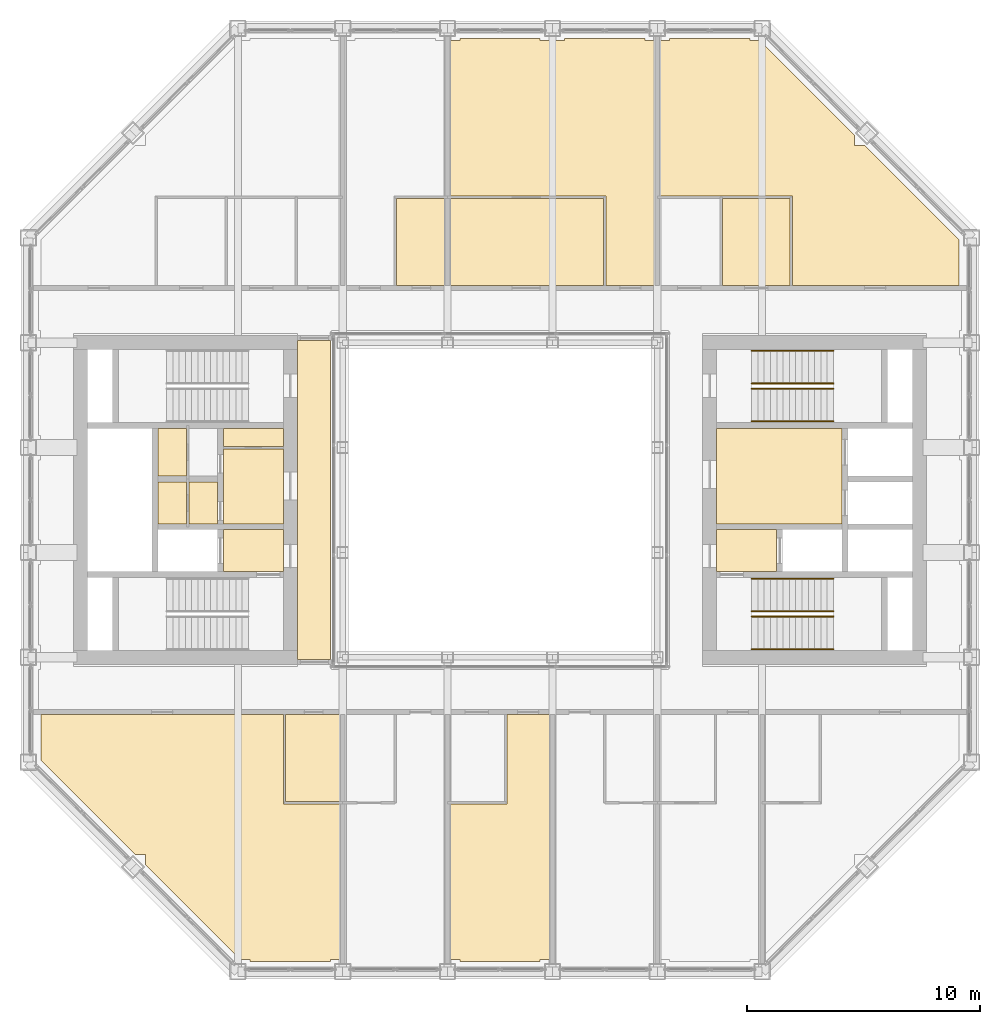
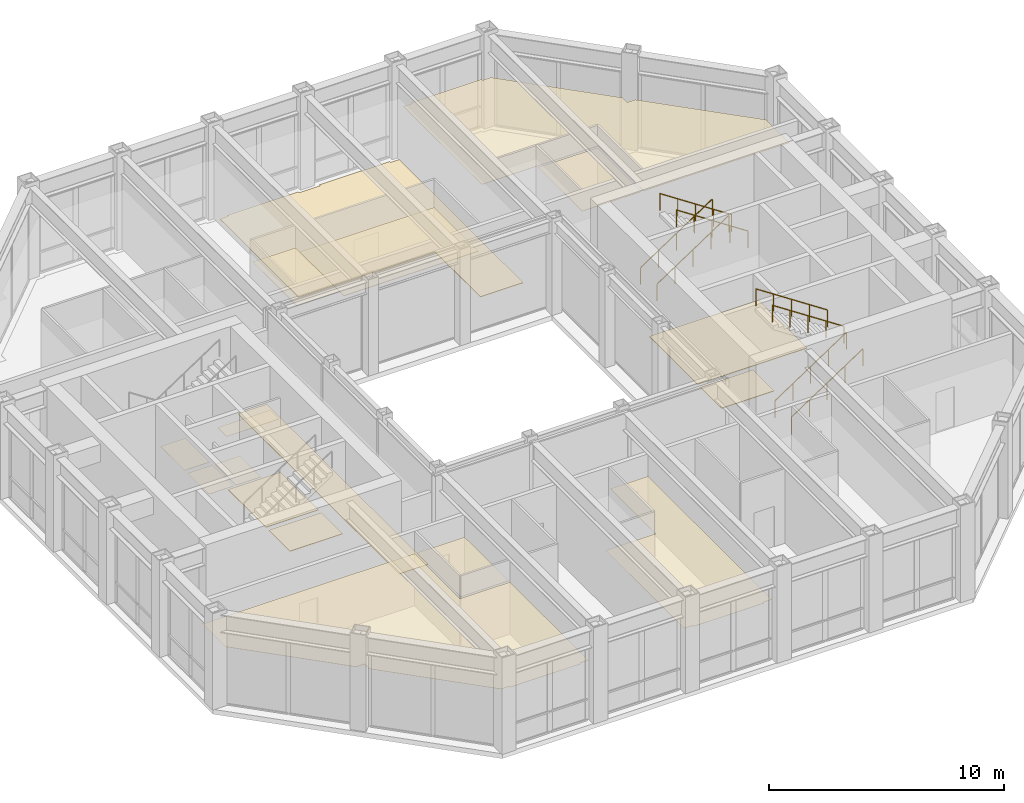
# One storey, part 15 of 15: 8 railings, 3 coverings.
"""IFC4 building model written with IfcOpenShell, lengths in metres."""

from ifc_helpers import new_model, si_unit, direction, frame, origin, origin_2d, place, context, subcontext, project, spatial, line, indexed_curve, circle, outline, extrude, material, layer, layer_set, type_object, element, save


model = new_model("IFC4")

# Units and contexts
model_context = context("Model", 3, precision=1e-05, world=origin(), true_north=direction((0.0, 1.0)))
body_context = subcontext(model_context, "Body", "Model", "MODEL_VIEW")
ifc_project = project(units=[si_unit("LENGTHUNIT", "METRE"), si_unit("AREAUNIT", "SQUARE_METRE"), si_unit("VOLUMEUNIT", "CUBIC_METRE"), si_unit("PLANEANGLEUNIT", "RADIAN"), si_unit("MASSUNIT", "GRAM", prefix="KILO")], contexts=[model_context])

# Site, building, storey
site_placement = place(None, origin())
site = spatial("IfcSite", under=ifc_project, at=site_placement, CompositionType="ELEMENT")
building_placement = place(site_placement, origin())
building = spatial("IfcBuilding", under=site, at=building_placement, Name="Msasa Ring Tower", CompositionType="ELEMENT")
storey_placement = place(building_placement, frame((0.0, 0.0, 195.800048828125)))
storey = spatial("IfcBuildingStorey", under=building, at=storey_placement, Name="L51", CompositionType="ELEMENT", Elevation=195.800048828125)

# Coverings
ifc_material_1 = material(Name="Gypsum plasterboard on a steel suspension grid", Category="steel")
ifc_layer_1 = layer(ifc_material_1, 0.014892578125)
ifc_layer_set_1 = layer_set([ifc_layer_1], Name="C1 SUSPENDED PLASTERBOARD CEILING 15")
covering_type_1 = type_object("IfcCoveringType", Name="C1 SUSPENDED PLASTERBOARD CEILING 15", PredefinedType="CEILING", material=ifc_layer_set_1)
covering_1_placement = place(storey_placement, frame((0.0, 0.0, 2.699951171875)))
element("IfcCovering", 1, at=covering_1_placement, inside=storey, type_object=covering_type_1, Name="Suspended Plasterboard Ceiling 15 L51", PredefinedType="CEILING", context=body_context, shape_type="SweptSolid", body=[
    extrude(outline(indexed_curve([(-10.724609375, -19.799560546875), (-10.724609375, -19.724609375), (-11.138427734375, -19.724609375), (-15.224609375, -15.638427734375), (-15.224609375, -15.224609375), (-15.638427734375, -15.224609375), (-19.699462890625, -11.163330078125), (-19.699462890625, -9.200439453125), (-9.300537109375, -9.200439453125), (-9.300537109375, -13.050537109375), (-6.8505859375, -13.050537109375), (-6.8505859375, -19.724609375), (-7.275390625, -19.724609375), (-7.275390625, -19.799560546875)], segments=[line(1, 2, 3, 4, 5, 6, 7, 8, 9, 10, 11, 12, 13, 14, 1)], self_intersect=False)), origin(), (0.0, 0.0, 1.0), 0.014892578125),
    extrude(outline(indexed_curve([(-14.674560546875, 0.7744140625), (-13.45556640625, 0.7744140625), (-13.45556640625, -1.0244140625), (-14.674560546875, -1.0244140625)], segments=[line(1, 2, 3, 4, 1)], self_intersect=False)), origin(), (0.0, 0.0, 1.0), 0.014892578125),
    extrude(outline(indexed_curve([(-14.674560546875, 3.074462890625), (-13.45556640625, 3.074462890625), (-13.45556640625, 1.025390625), (-14.674560546875, 1.025390625)], segments=[line(1, 2, 3, 4, 1)], self_intersect=False)), origin(), (0.0, 0.0, 1.0), 0.014892578125),
    extrude(outline(indexed_curve([(-13.344482421875, 0.7744140625), (-12.12548828125, 0.7744140625), (-12.12548828125, -1.0244140625), (-13.344482421875, -1.0244140625)], segments=[line(1, 2, 3, 4, 1)], self_intersect=False)), origin(), (0.0, 0.0, 1.0), 0.014892578125),
    extrude(outline(indexed_curve([(-11.87451171875, 2.305419921875), (-11.87451171875, 3.074462890625), (-9.300537109375, 3.074462890625), (-9.300537109375, 2.305419921875)], segments=[line(1, 2, 3, 4, 1)], self_intersect=False)), origin(), (0.0, 0.0, 1.0), 0.014892578125),
    extrude(outline(indexed_curve([(-9.199462890625, -12.949462890625), (-9.199462890625, -9.200439453125), (-6.8505859375, -9.200439453125), (-6.8505859375, -12.949462890625)], segments=[line(1, 2, 3, 4, 1)], self_intersect=False)), origin(), (0.0, 0.0, 1.0), 0.014892578125),
    extrude(outline(indexed_curve([(-4.449462890625, 9.200439453125), (-4.449462890625, 12.949462890625), (-2.3505859375, 12.949462890625), (-2.3505859375, 9.200439453125)], segments=[line(1, 2, 3, 4, 1)], self_intersect=False)), origin(), (0.0, 0.0, 1.0), 0.014892578125),
    extrude(outline(indexed_curve([(0.300537109375, -13.050537109375), (0.300537109375, -9.200439453125), (2.1494140625, -9.200439453125), (2.1494140625, -19.724609375), (1.724609375, -19.724609375), (1.724609375, -19.799560546875), (-1.724609375, -19.799560546875), (-1.724609375, -19.724609375), (-2.1494140625, -19.724609375), (-2.1494140625, -13.050537109375)], segments=[line(1, 2, 3, 4, 5, 6, 7, 8, 9, 10, 1)], self_intersect=False)), origin(), (0.0, 0.0, 1.0), 0.014892578125),
    extrude(outline(indexed_curve([(10.724609375, 19.799560546875), (10.724609375, 19.724609375), (11.138427734375, 19.724609375), (15.224609375, 15.638427734375), (15.224609375, 15.224609375), (15.638427734375, 15.224609375), (19.699462890625, 11.163330078125), (19.699462890625, 9.200439453125), (12.550537109375, 9.200439453125), (12.550537109375, 13.050537109375), (6.8505859375, 13.050537109375), (6.8505859375, 19.724609375), (7.275390625, 19.724609375), (7.275390625, 19.799560546875)], segments=[line(1, 2, 3, 4, 5, 6, 7, 8, 9, 10, 11, 12, 13, 14, 1)], self_intersect=False)), origin(), (0.0, 0.0, 1.0), 0.014892578125),
    extrude(outline(indexed_curve([(9.550537109375, 12.949462890625), (12.449462890625, 12.949462890625), (12.449462890625, 9.200439453125), (9.550537109375, 9.200439453125)], segments=[line(1, 2, 3, 4, 1)], self_intersect=False)), origin(), (0.0, 0.0, 1.0), 0.014892578125),
])
ifc_material_2 = material(Name="Perforated aluminium ceiling pans on a steel grid", Category="steel")
ifc_layer_2 = layer(ifc_material_2, 0.02490234375)
ifc_layer_set_2 = layer_set([ifc_layer_2], Name="C4 PERFORATED METAL PAN CEILING 25")
covering_type_2 = type_object("IfcCoveringType", Name="C4 PERFORATED METAL PAN CEILING 25", PredefinedType="CEILING", material=ifc_layer_set_2)
covering_2_placement = place(storey_placement, frame((0.0, 0.0, 2.39990234375)))
element("IfcCovering", 2, at=covering_2_placement, inside=storey, type_object=covering_type_2, Name="Perforated Metal Pan Ceiling 25 L51", PredefinedType="CEILING", context=body_context, shape_type="SweptSolid", body=[
    extrude(outline(indexed_curve([(-2.1494140625, 12.949462890625), (4.449462890625, 12.949462890625), (4.449462890625, 9.200439453125), (-2.1494140625, 9.200439453125)], segments=[line(1, 2, 3, 4, 1)], self_intersect=False)), origin(), (0.0, 0.0, 1.0), 0.025146484375),
])
ifc_material_3 = material(Name="Honed granite tiles on a mortar bed", Category="masonry")
ifc_layer_3 = layer(ifc_material_3, 0.030029296875)
ifc_layer_set_3 = layer_set([ifc_layer_3], Name="F1 HONED GRANITE ON BEDDING 30")
covering_type_3 = type_object("IfcCoveringType", Name="F1 HONED GRANITE ON BEDDING 30", PredefinedType="FLOORING", material=ifc_layer_set_3)
covering_3_placement = place(storey_placement, origin())
element("IfcCovering", 3, at=covering_3_placement, inside=storey, type_object=covering_type_3, Name="Honed Granite On Bedding 30 L51", PredefinedType="FLOORING", context=body_context, shape_type="SweptSolid", body=[
    extrude(outline(indexed_curve([(-11.87451171875, -3.074462890625), (-11.87451171875, -1.275390625), (-9.300537109375, -1.275390625), (-9.300537109375, -3.074462890625)], segments=[line(1, 2, 3, 4, 1)], self_intersect=False)), origin(), (0.0, 0.0, 1.0), 0.030029296875),
    extrude(outline(indexed_curve([(-11.87451171875, -1.0244140625), (-11.87451171875, 2.194580078125), (-9.300537109375, 2.194580078125), (-9.300537109375, -1.0244140625)], segments=[line(1, 2, 3, 4, 1)], self_intersect=False)), origin(), (0.0, 0.0, 1.0), 0.030029296875),
    extrude(outline(indexed_curve([(-8.699462890625, 6.849609375), (-7.280029296875, 6.849609375), (-7.280029296875, -6.849609375), (-8.699462890625, -6.849609375)], segments=[line(1, 2, 3, 4, 1)], self_intersect=False)), origin(), (0.0, 0.0, 1.0), 0.030029296875),
    extrude(outline(indexed_curve([(1.724609375, 19.799560546875), (1.724609375, 19.724609375), (2.775390625, 19.724609375), (2.775390625, 19.799560546875), (6.224609375, 19.799560546875), (6.224609375, 19.724609375), (6.6494140625, 19.724609375), (6.6494140625, 9.200439453125), (4.550537109375, 9.200439453125), (4.550537109375, 13.050537109375), (-2.1494140625, 13.050537109375), (-2.1494140625, 19.724609375), (-1.724609375, 19.724609375), (-1.724609375, 19.799560546875)], segments=[line(1, 2, 3, 4, 5, 6, 7, 8, 9, 10, 11, 12, 13, 14, 1)], self_intersect=False)), origin(), (0.0, 0.0, 1.0), 0.030029296875),
    extrude(outline(indexed_curve([(9.300537109375, -1.275390625), (11.87451171875, -1.275390625), (11.87451171875, -3.074462890625), (9.300537109375, -3.074462890625)], segments=[line(1, 2, 3, 4, 1)], self_intersect=False)), origin(), (0.0, 0.0, 1.0), 0.030029296875),
    extrude(outline(indexed_curve([(9.300537109375, 3.074462890625), (14.674560546875, 3.074462890625), (14.674560546875, -1.0244140625), (9.300537109375, -1.0244140625)], segments=[line(1, 2, 3, 4, 1)], self_intersect=False)), origin(), (0.0, 0.0, 1.0), 0.030029296875),
])

# Railings
ifc_material_4 = material(Name="Stainless steel", Category="steel")
railing_type = type_object("IfcRailingType", Name="HR1 HANDRAIL 900", PredefinedType="HANDRAIL", material=ifc_material_4)
for number, where, name in (
    (4, (10.800048828125, -6.39990234375, 0.178466796875), "Handrail stair SEA L51 1"),
    (5, (10.800048828125, -5.0, 0.178466796875), "Handrail stair SEA L51 2"),
):
    element("IfcRailing", number, at=place(storey_placement, frame(where)), inside=storey, type_object=railing_type, Name=name, PredefinedType="HANDRAIL", context=body_context, shape_type="SweptSolid", body=[
        extrude(circle(Radius=0.02392578125, at=origin_2d()), frame((0.0, 0.0, 0.8759765625), z_axis=(0.834070780157, 0.0, 0.551657442339), x_axis=(0.0, 1.0, 0.0)), (0.0, 0.0, 1.0), 4.208251953125),
        extrude(circle(Radius=0.02099609375, at=origin_2d()), origin(), (0.0, 0.0, 1.0), 0.851806640625),
        extrude(circle(Radius=0.02099609375, at=origin_2d()), frame((0.87744140625, 0.0, 0.580322265625)), (0.0, 0.0, 1.0), 0.851806640625),
        extrude(circle(Radius=0.02099609375, at=origin_2d()), frame((1.7548828125, 0.0, 1.16064453125)), (0.0, 0.0, 1.0), 0.851806640625),
        extrude(circle(Radius=0.02099609375, at=origin_2d()), frame((2.632568359375, 0.0, 1.7412109375)), (0.0, 0.0, 1.0), 0.851806640625),
        extrude(circle(Radius=0.02099609375, at=origin_2d()), frame((3.510009765625, 0.0, 2.321533203125)), (0.0, 0.0, 1.0), 0.851806640625),
    ])
for number, where, name in (
    (6, (14.31005859375, -4.77490234375, 2.678466796875), "Handrail stair SEA L51 3"),
    (7, (14.31005859375, -3.375, 2.678466796875), "Handrail stair SEA L51 4"),
):
    element("IfcRailing", number, at=place(storey_placement, frame(where)), inside=storey, type_object=railing_type, Name=name, PredefinedType="HANDRAIL", context=body_context, shape_type="SweptSolid", body=[
        extrude(circle(Radius=0.02392578125, at=origin_2d()), frame((0.0, 0.0, 0.8759765625), z_axis=(-0.834070780157, 0.0, 0.551657442339), x_axis=(0.0, -1.0, 0.0)), (0.0, 0.0, 1.0), 4.208251953125),
        extrude(circle(Radius=0.02099609375, at=origin_2d()), origin(), (0.0, 0.0, 1.0), 0.851806640625),
        extrude(circle(Radius=0.02099609375, at=origin_2d()), frame((-0.87744140625, 0.0, 0.580322265625)), (0.0, 0.0, 1.0), 0.851806640625),
        extrude(circle(Radius=0.02099609375, at=origin_2d()), frame((-1.7548828125, 0.0, 1.16064453125)), (0.0, 0.0, 1.0), 0.851806640625),
        extrude(circle(Radius=0.02099609375, at=origin_2d()), frame((-2.632568359375, 0.0, 1.7412109375)), (0.0, 0.0, 1.0), 0.851806640625),
        extrude(circle(Radius=0.02099609375, at=origin_2d()), frame((-3.510009765625, 0.0, 2.321533203125)), (0.0, 0.0, 1.0), 0.851806640625),
    ])
for number, where, name in (
    (8, (10.800048828125, 5.0, 0.178466796875), "Handrail stair SEB L51 1"),
    (9, (10.800048828125, 6.39990234375, 0.178466796875), "Handrail stair SEB L51 2"),
):
    element("IfcRailing", number, at=place(storey_placement, frame(where)), inside=storey, type_object=railing_type, Name=name, PredefinedType="HANDRAIL", context=body_context, shape_type="SweptSolid", body=[
        extrude(circle(Radius=0.02392578125, at=origin_2d()), frame((0.0, 0.0, 0.8759765625), z_axis=(0.834070780157, 0.0, 0.551657442339), x_axis=(0.0, 1.0, 0.0)), (0.0, 0.0, 1.0), 4.208251953125),
        extrude(circle(Radius=0.02099609375, at=origin_2d()), origin(), (0.0, 0.0, 1.0), 0.851806640625),
        extrude(circle(Radius=0.02099609375, at=origin_2d()), frame((0.87744140625, 0.0, 0.580322265625)), (0.0, 0.0, 1.0), 0.851806640625),
        extrude(circle(Radius=0.02099609375, at=origin_2d()), frame((1.7548828125, 0.0, 1.16064453125)), (0.0, 0.0, 1.0), 0.851806640625),
        extrude(circle(Radius=0.02099609375, at=origin_2d()), frame((2.632568359375, 0.0, 1.7412109375)), (0.0, 0.0, 1.0), 0.851806640625),
        extrude(circle(Radius=0.02099609375, at=origin_2d()), frame((3.510009765625, 0.0, 2.321533203125)), (0.0, 0.0, 1.0), 0.851806640625),
    ])
for number, where, name in (
    (10, (14.31005859375, 3.375, 2.678466796875), "Handrail stair SEB L51 3"),
    (11, (14.31005859375, 4.77490234375, 2.678466796875), "Handrail stair SEB L51 4"),
):
    element("IfcRailing", number, at=place(storey_placement, frame(where)), inside=storey, type_object=railing_type, Name=name, PredefinedType="HANDRAIL", context=body_context, shape_type="SweptSolid", body=[
        extrude(circle(Radius=0.02392578125, at=origin_2d()), frame((0.0, 0.0, 0.8759765625), z_axis=(-0.834070780157, 0.0, 0.551657442339), x_axis=(0.0, -1.0, 0.0)), (0.0, 0.0, 1.0), 4.208251953125),
        extrude(circle(Radius=0.02099609375, at=origin_2d()), origin(), (0.0, 0.0, 1.0), 0.851806640625),
        extrude(circle(Radius=0.02099609375, at=origin_2d()), frame((-0.87744140625, 0.0, 0.580322265625)), (0.0, 0.0, 1.0), 0.851806640625),
        extrude(circle(Radius=0.02099609375, at=origin_2d()), frame((-1.7548828125, 0.0, 1.16064453125)), (0.0, 0.0, 1.0), 0.851806640625),
        extrude(circle(Radius=0.02099609375, at=origin_2d()), frame((-2.632568359375, 0.0, 1.7412109375)), (0.0, 0.0, 1.0), 0.851806640625),
        extrude(circle(Radius=0.02099609375, at=origin_2d()), frame((-3.510009765625, 0.0, 2.321533203125)), (0.0, 0.0, 1.0), 0.851806640625),
    ])

save(model, "model.ifc")
